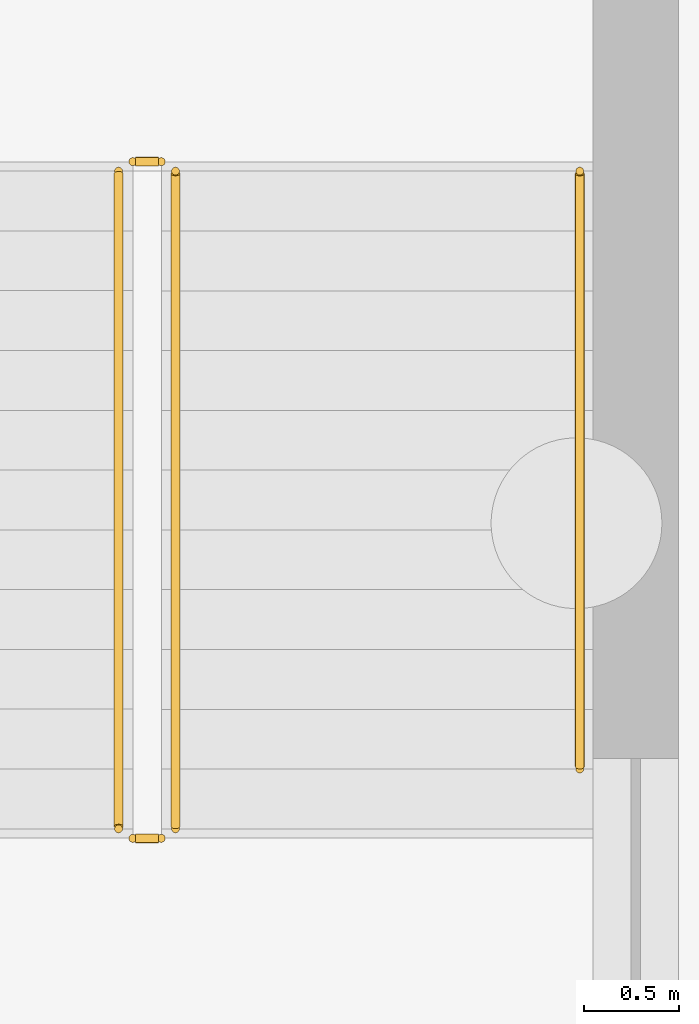
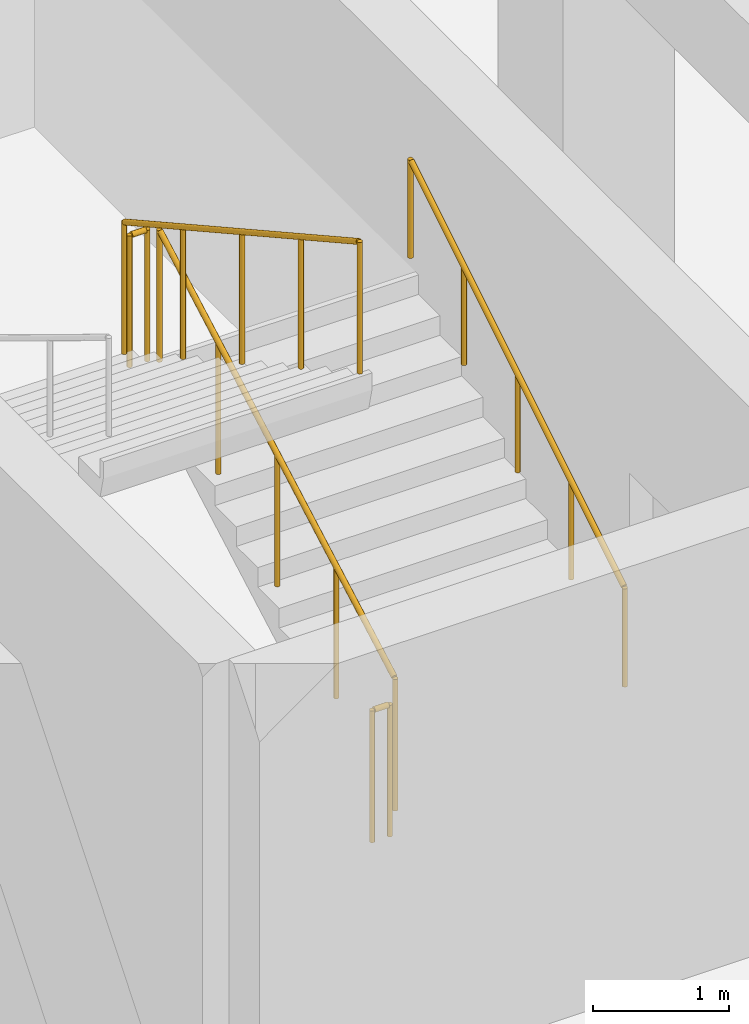
# One storey, part 31 of 39: 5 railings.
"""IFC4 building model written with IfcOpenShell, lengths in metres."""

from ifc_helpers import new_model, si_unit, direction, frame, origin, origin_2d, place, context, subcontext, project, spatial, circle, extrude, material, type_object, element, save


model = new_model("IFC4")

# Units and contexts
model_context = context("Model", 3, precision=1e-05, world=origin(), true_north=direction((0.0, 1.0)))
body_context = subcontext(model_context, "Body", "Model", "MODEL_VIEW")
ifc_project = project(units=[si_unit("LENGTHUNIT", "METRE"), si_unit("AREAUNIT", "SQUARE_METRE"), si_unit("VOLUMEUNIT", "CUBIC_METRE"), si_unit("PLANEANGLEUNIT", "RADIAN"), si_unit("MASSUNIT", "GRAM", prefix="KILO")], contexts=[model_context])

# Site, building, storey
site_placement = place(None, origin())
site = spatial("IfcSite", under=ifc_project, at=site_placement, CompositionType="ELEMENT")
building_placement = place(site_placement, origin())
building = spatial("IfcBuilding", under=site, at=building_placement, Name="Nakhvara Creek Congress Hotel", CompositionType="ELEMENT")
storey_placement = place(building_placement, frame((0.0, 0.0, -8.39990234375)))
storey = spatial("IfcBuildingStorey", under=building, at=storey_placement, Name="B2", CompositionType="ELEMENT", Elevation=-8.39990234375)

# Railings
ifc_material = material(Name="Brushed stainless steel 316L", Category="steel")
railing_type_1 = type_object("IfcRailingType", Name="RL-GUARD-1200", PredefinedType="GUARDRAIL", material=ifc_material)
railing_1_placement = place(storey_placement, frame((62.27490234375, 32.679931640625, 0.1748046875)))
element("IfcRailing", 1, at=railing_1_placement, inside=storey, type_object=railing_type_1, Name="B2 ST13 stair guard 1", PredefinedType="GUARDRAIL", context=body_context, shape_type="SweptSolid", body=[
    extrude(circle(Radius=0.02392578125, at=origin_2d()), frame((0.0, 0.012939453125, 1.18310546875), z_axis=(0.0, 0.874157276122, 0.485642931179), x_axis=(-1.0, 0.0, 0.0)), (0.0, 0.0, 1.0), 3.9345703125),
    extrude(circle(Radius=0.02099609375, at=origin_2d()), origin(), (0.0, 0.0, 1.0), 1.1806640625),
    extrude(circle(Radius=0.02099609375, at=origin_2d()), frame((0.0, 0.8662109375, 0.481201171875)), (0.0, 0.0, 1.0), 1.1806640625),
    extrude(circle(Radius=0.02099609375, at=origin_2d()), frame((0.0, 1.732421875, 0.96240234375)), (0.0, 0.0, 1.0), 1.1806640625),
    extrude(circle(Radius=0.02099609375, at=origin_2d()), frame((0.0, 2.598876953125, 1.44384765625)), (0.0, 0.0, 1.0), 1.1806640625),
    extrude(circle(Radius=0.02099609375, at=origin_2d()), frame((0.0, 3.465087890625, 1.925048828125)), (0.0, 0.0, 1.0), 1.1806640625),
])
railing_2_placement = place(storey_placement, frame((62.199951171875, 36.195068359375, 2.099853515625)))
element("IfcRailing", 2, at=railing_2_placement, inside=storey, type_object=railing_type_1, Name="B2 ST13 stair guard 2", PredefinedType="GUARDRAIL", context=body_context, shape_type="SweptSolid", body=[
    extrude(circle(Radius=0.02392578125, at=origin_2d()), frame((-0.0146484375, 0.0, 1.17578125), z_axis=(-1.0, 0.0, 0.0), x_axis=(0.0, -1.0, 0.0)), (0.0, 0.0, 1.0), 0.12060546875),
    extrude(circle(Radius=0.02099609375, at=origin_2d()), origin(), (0.0, 0.0, 1.0), 1.1806640625),
    extrude(circle(Radius=0.02099609375, at=origin_2d()), frame((-0.14990234375, 0.0, 0.0)), (0.0, 0.0, 1.0), 1.1806640625),
])
railing_3_placement = place(storey_placement, frame((61.97509765625, 36.14501953125, 2.27490234375)))
element("IfcRailing", 3, at=railing_3_placement, inside=storey, type_object=railing_type_1, Name="B2 ST13 stair guard 3", PredefinedType="GUARDRAIL", context=body_context, shape_type="SweptSolid", body=[
    extrude(circle(Radius=0.02392578125, at=origin_2d()), frame((0.0, -0.012939453125, 1.18310546875), z_axis=(0.0, -0.874157276122, 0.485642931179), x_axis=(1.0, 0.0, 0.0)), (0.0, 0.0, 1.0), 3.9345703125),
    extrude(circle(Radius=0.02099609375, at=origin_2d()), origin(), (0.0, 0.0, 1.0), 1.1806640625),
    extrude(circle(Radius=0.02099609375, at=origin_2d()), frame((0.0, -0.8662109375, 0.481201171875)), (0.0, 0.0, 1.0), 1.1806640625),
    extrude(circle(Radius=0.02099609375, at=origin_2d()), frame((0.0, -1.732421875, 0.96240234375)), (0.0, 0.0, 1.0), 1.1806640625),
    extrude(circle(Radius=0.02099609375, at=origin_2d()), frame((0.0, -2.598876953125, 1.44384765625)), (0.0, 0.0, 1.0), 1.1806640625),
    extrude(circle(Radius=0.02099609375, at=origin_2d()), frame((0.0, -3.465087890625, 1.925048828125)), (0.0, 0.0, 1.0), 1.1806640625),
])
railing_4_placement = place(storey_placement, frame((62.199951171875, 32.6298828125, 0.0)))
element("IfcRailing", 4, at=railing_4_placement, inside=storey, type_object=railing_type_1, Name="B2 ST13 stair guard 4", PredefinedType="GUARDRAIL", context=body_context, shape_type="SweptSolid", body=[
    extrude(circle(Radius=0.02392578125, at=origin_2d()), frame((-0.0146484375, 0.0, 1.17578125), z_axis=(-1.0, 0.0, 0.0), x_axis=(0.0, -1.0, 0.0)), (0.0, 0.0, 1.0), 0.12060546875),
    extrude(circle(Radius=0.02099609375, at=origin_2d()), origin(), (0.0, 0.0, 1.0), 1.1806640625),
    extrude(circle(Radius=0.02099609375, at=origin_2d()), frame((-0.14990234375, 0.0, 0.0)), (0.0, 0.0, 1.0), 1.1806640625),
])
railing_type_2 = type_object("IfcRailingType", Name="RL-HAND-900", PredefinedType="HANDRAIL", material=ifc_material)
railing_5_placement = place(storey_placement, frame((64.405029296875, 32.9951171875, 0.349853515625)))
element("IfcRailing", 5, at=railing_5_placement, inside=storey, type_object=railing_type_2, Name="B2 ST13 stair handrail 1", PredefinedType="HANDRAIL", context=body_context, shape_type="SweptSolid", body=[
    extrude(circle(Radius=0.02392578125, at=origin_2d()), frame((0.0, 0.012451171875, 0.883544921875), z_axis=(0.0, 0.85194385619, 0.523633140567), x_axis=(-1.0, 0.0, 0.0)), (0.0, 0.0, 1.0), 3.66796875),
    extrude(circle(Radius=0.02099609375, at=origin_2d()), origin(), (0.0, 0.0, 1.0), 0.880615234375),
    extrude(circle(Radius=0.02099609375, at=origin_2d()), frame((0.0, 0.78759765625, 0.48388671875)), (0.0, 0.0, 1.0), 0.880615234375),
    extrude(circle(Radius=0.02099609375, at=origin_2d()), frame((0.0, 1.574951171875, 0.968017578125)), (0.0, 0.0, 1.0), 0.880615234375),
    extrude(circle(Radius=0.02099609375, at=origin_2d()), frame((0.0, 2.3623046875, 1.4521484375)), (0.0, 0.0, 1.0), 0.880615234375),
    extrude(circle(Radius=0.02099609375, at=origin_2d()), frame((0.0, 3.14990234375, 1.93603515625)), (0.0, 0.0, 1.0), 0.880615234375),
])

save(model, "model.ifc")
